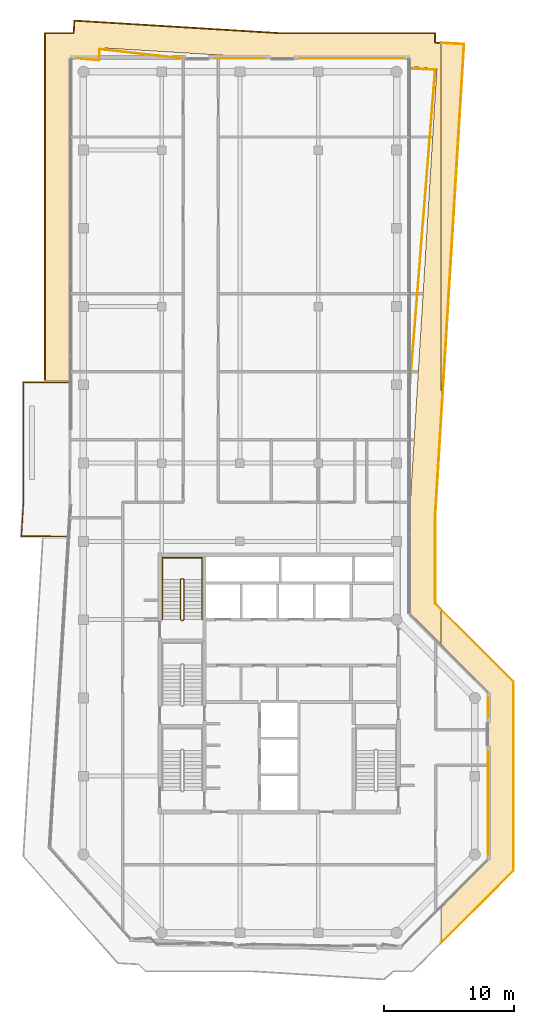
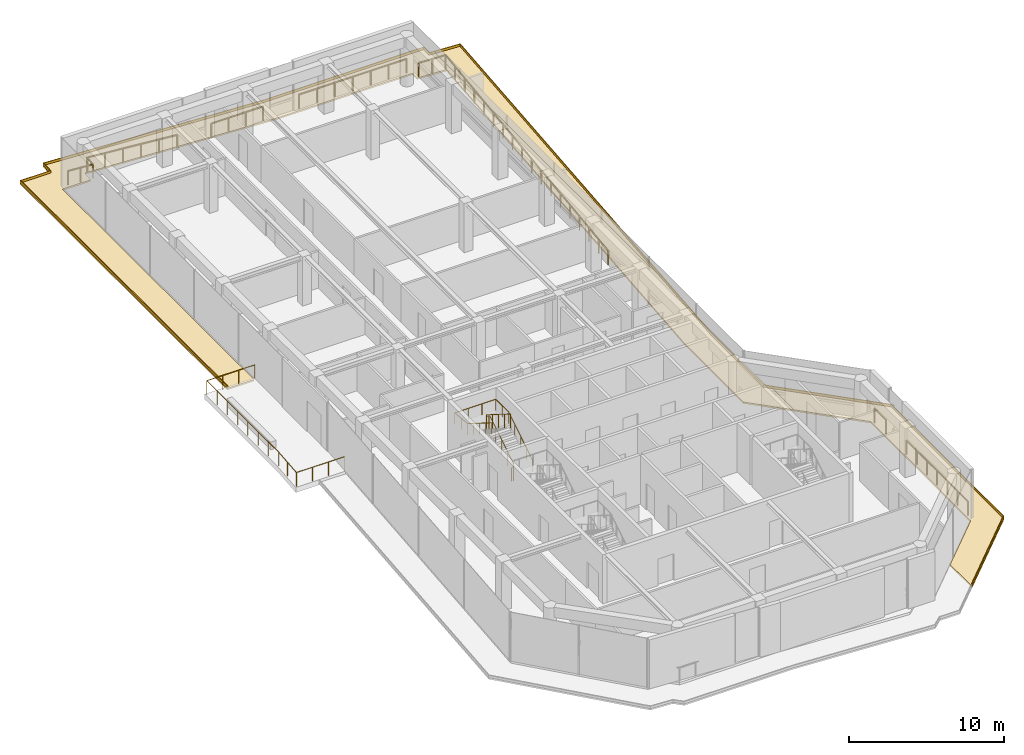
# One storey, part 18 of 18: 9 railings, 7 coverings.
"""IFC4 building model written with IfcOpenShell, lengths in metres."""

from ifc_helpers import new_model, si_unit, direction, frame, origin, origin_2d, place, context, subcontext, project, spatial, polyline, circle, outline, extrude, material, layer, layer_set, type_object, element, save


model = new_model("IFC4")

# Units and contexts
model_context = context("Model", 3, precision=1e-05, world=origin(), true_north=direction((0.0, 1.0)))
body_context = subcontext(model_context, "Body", "Model", "MODEL_VIEW")
ifc_project = project(units=[si_unit("LENGTHUNIT", "METRE"), si_unit("AREAUNIT", "SQUARE_METRE"), si_unit("VOLUMEUNIT", "CUBIC_METRE"), si_unit("PLANEANGLEUNIT", "RADIAN"), si_unit("MASSUNIT", "GRAM", prefix="KILO")], contexts=[model_context])

# Site, building, storey
site_placement = place(None, origin())
site = spatial("IfcSite", under=ifc_project, at=site_placement, CompositionType="ELEMENT")
building_placement = place(site_placement, origin())
building = spatial("IfcBuilding", under=site, at=building_placement, Name="Welwitschia Terrace Campus", CompositionType="ELEMENT")
storey_placement = place(building_placement, frame((0.0, 0.0, 272.60009765625)))
storey = spatial("IfcBuildingStorey", under=building, at=storey_placement, Name="L60", CompositionType="ELEMENT", Elevation=272.60009765625)

# Railings
ifc_material_1 = material(Name="Stainless steel grade 316", Category="steel")
railing_type_1 = type_object("IfcRailingType", Name="Guard 1100", PredefinedType="GUARDRAIL", material=ifc_material_1)
railing_1_placement = place(storey_placement, frame((-1.180419921875, 26.387451171875, 0.0)))
element("IfcRailing", 1, at=railing_1_placement, inside=storey, type_object=railing_type_1, Name="Guard terrace L60:0:0.0", PredefinedType="GUARDRAIL", context=body_context, shape_type="SweptSolid", body=[
    extrude(circle(Radius=0.02392578125, at=origin_2d()), frame((0.0, 0.0, 1.076171875), z_axis=(-0.999998872133, 0.00150190983, 0.0), x_axis=(-0.00150190983, -0.999998872133, 0.0)), (0.0, 0.0, 1.0), 3.576171875),
    extrude(circle(Radius=0.02392578125, at=origin_2d()), frame((-3.576171875, 0.00537109375, 1.076171875), z_axis=(0.060951529585, 0.998140727073, 0.0), x_axis=(-0.998140727073, 0.060951529585, 0.0)), (0.0, 0.0, 1.0), 2.567626953125),
    extrude(circle(Radius=0.02392578125, at=origin_2d()), frame((-3.419677734375, 2.568115234375, 1.076171875), z_axis=(0.0, 1.0, 0.0), x_axis=(-1.0, 0.0, 0.0)), (0.0, 0.0, 1.0), 9.2373046875),
    extrude(circle(Radius=0.02392578125, at=origin_2d()), frame((-3.419677734375, 11.805419921875, 1.076171875), z_axis=(1.0, 0.0, 0.0), x_axis=(0.0, 1.0, 0.0)), (0.0, 0.0, 1.0), 3.570068359375),
    extrude(circle(Radius=0.02099609375, at=origin_2d()), origin(), (0.0, 0.0, 1.0), 1.052001953125),
    extrude(circle(Radius=0.02099609375, at=origin_2d()), frame((-1.192138671875, 0.001708984375, 0.0)), (0.0, 0.0, 1.0), 1.052001953125),
    extrude(circle(Radius=0.02099609375, at=origin_2d()), frame((-2.384033203125, 0.003662109375, 0.0)), (0.0, 0.0, 1.0), 1.052001953125),
    extrude(circle(Radius=0.02099609375, at=origin_2d()), frame((-3.576171875, 0.00537109375, 0.0)), (0.0, 0.0, 1.0), 1.052001953125),
    extrude(circle(Radius=0.02099609375, at=origin_2d()), frame((-3.498046875, 1.28662109375, 0.0)), (0.0, 0.0, 1.0), 1.052001953125),
    extrude(circle(Radius=0.02099609375, at=origin_2d()), frame((-3.419677734375, 2.568115234375, 0.0)), (0.0, 0.0, 1.0), 1.052001953125),
    extrude(circle(Radius=0.02099609375, at=origin_2d()), frame((-3.419677734375, 3.8876953125, 0.0)), (0.0, 0.0, 1.0), 1.052001953125),
    extrude(circle(Radius=0.02099609375, at=origin_2d()), frame((-3.419677734375, 5.207275390625, 0.0)), (0.0, 0.0, 1.0), 1.052001953125),
    extrude(circle(Radius=0.02099609375, at=origin_2d()), frame((-3.419677734375, 6.52685546875, 0.0)), (0.0, 0.0, 1.0), 1.052001953125),
    extrude(circle(Radius=0.02099609375, at=origin_2d()), frame((-3.419677734375, 7.8466796875, 0.0)), (0.0, 0.0, 1.0), 1.052001953125),
    extrude(circle(Radius=0.02099609375, at=origin_2d()), frame((-3.419677734375, 9.166259765625, 0.0)), (0.0, 0.0, 1.0), 1.052001953125),
    extrude(circle(Radius=0.02099609375, at=origin_2d()), frame((-3.419677734375, 10.48583984375, 0.0)), (0.0, 0.0, 1.0), 1.052001953125),
    extrude(circle(Radius=0.02099609375, at=origin_2d()), frame((-3.419677734375, 11.805419921875, 0.0)), (0.0, 0.0, 1.0), 1.052001953125),
    extrude(circle(Radius=0.02099609375, at=origin_2d()), frame((-2.229736328125, 11.805419921875, 0.0)), (0.0, 0.0, 1.0), 1.052001953125),
    extrude(circle(Radius=0.02099609375, at=origin_2d()), frame((-1.03955078125, 11.805419921875, 0.0)), (0.0, 0.0, 1.0), 1.052001953125),
    extrude(circle(Radius=0.02099609375, at=origin_2d()), frame((0.150390625, 11.805419921875, 0.0)), (0.0, 0.0, 1.0), 1.052001953125),
])
railing_2_placement = place(storey_placement, frame((-0.580078125, 63.030029296875, 0.0)))
element("IfcRailing", 2, at=railing_2_placement, inside=storey, type_object=railing_type_1, Name="Guard floor edge L60.0", PredefinedType="GUARDRAIL", context=body_context, shape_type="SweptSolid", body=[
    extrude(circle(Radius=0.02392578125, at=origin_2d()), frame((0.0, 0.0, 1.076171875), z_axis=(0.9964690744, -0.083960608406, 0.0), x_axis=(0.083960608406, 0.9964690744, 0.0)), (0.0, 0.0, 1.0), 1.788330078125),
    extrude(circle(Radius=0.02392578125, at=origin_2d()), frame((1.781982421875, -0.150146484375, 1.076171875), z_axis=(0.061027734257, 0.99813607071, 0.0), x_axis=(-0.99813607071, 0.061027734257, 0.0)), (0.0, 0.0, 1.0), 0.843994140625),
    extrude(circle(Radius=0.02392578125, at=origin_2d()), frame((1.83349609375, 0.6923828125, 1.076171875), z_axis=(0.993944536944, -0.109882926238, 0.0), x_axis=(0.109882926238, 0.993944536944, 0.0)), (0.0, 0.0, 1.0), 6.301025390625),
    extrude(circle(Radius=0.02099609375, at=origin_2d()), origin(), (0.0, 0.0, 1.0), 1.052001953125),
    extrude(circle(Radius=0.02099609375, at=origin_2d()), frame((0.89111328125, -0.0751953125, 0.0)), (0.0, 0.0, 1.0), 1.052001953125),
    extrude(circle(Radius=0.02099609375, at=origin_2d()), frame((1.781982421875, -0.150146484375, 0.0)), (0.0, 0.0, 1.0), 1.052001953125),
    extrude(circle(Radius=0.02099609375, at=origin_2d()), frame((1.83349609375, 0.6923828125, 0.0)), (0.0, 0.0, 1.0), 1.052001953125),
    extrude(circle(Radius=0.02099609375, at=origin_2d()), frame((3.086181640625, 0.553955078125, 0.0)), (0.0, 0.0, 1.0), 1.052001953125),
    extrude(circle(Radius=0.02099609375, at=origin_2d()), frame((4.338623046875, 0.41552734375, 0.0)), (0.0, 0.0, 1.0), 1.052001953125),
    extrude(circle(Radius=0.02099609375, at=origin_2d()), frame((5.59130859375, 0.27685546875, 0.0)), (0.0, 0.0, 1.0), 1.052001953125),
    extrude(circle(Radius=0.02099609375, at=origin_2d()), frame((6.84375, 0.138427734375, 0.0)), (0.0, 0.0, 1.0), 1.052001953125),
    extrude(circle(Radius=0.02099609375, at=origin_2d()), frame((8.096435546875, 0.0, 0.0)), (0.0, 0.0, 1.0), 1.052001953125),
])
railing_3_placement = place(storey_placement, frame((10.06494140625, 63.030029296875, 0.0)))
element("IfcRailing", 3, at=railing_3_placement, inside=storey, type_object=railing_type_1, Name="Guard floor edge L60.2", PredefinedType="GUARDRAIL", context=body_context, shape_type="SweptSolid", body=[
    extrude(circle(Radius=0.02392578125, at=origin_2d()), frame((0.0, 0.0, 1.076171875), z_axis=(1.0, 0.0, 0.0), x_axis=(0.0, 1.0, 0.0)), (0.0, 0.0, 1.0), 3.850341796875),
    extrude(circle(Radius=0.02099609375, at=origin_2d()), origin(), (0.0, 0.0, 1.0), 1.052001953125),
    extrude(circle(Radius=0.02099609375, at=origin_2d()), frame((1.283447265625, 0.0, 0.0)), (0.0, 0.0, 1.0), 1.052001953125),
    extrude(circle(Radius=0.02099609375, at=origin_2d()), frame((2.56689453125, 0.0, 0.0)), (0.0, 0.0, 1.0), 1.052001953125),
    extrude(circle(Radius=0.02099609375, at=origin_2d()), frame((3.850341796875, 0.0, 0.0)), (0.0, 0.0, 1.0), 1.052001953125),
])
railing_4_placement = place(storey_placement, frame((16.581298828125, 63.030029296875, 0.0)))
element("IfcRailing", 4, at=railing_4_placement, inside=storey, type_object=railing_type_1, Name="Guard floor edge L60.4", PredefinedType="GUARDRAIL", context=body_context, shape_type="SweptSolid", body=[
    extrude(circle(Radius=0.02392578125, at=origin_2d()), frame((0.0, 0.0, 1.076171875), z_axis=(1.0, 0.0, 0.0), x_axis=(0.0, 1.0, 0.0)), (0.0, 0.0, 1.0), 7.998779296875),
    extrude(circle(Radius=0.02099609375, at=origin_2d()), origin(), (0.0, 0.0, 1.0), 1.052001953125),
    extrude(circle(Radius=0.02099609375, at=origin_2d()), frame((1.3330078125, 0.0, 0.0)), (0.0, 0.0, 1.0), 1.052001953125),
    extrude(circle(Radius=0.02099609375, at=origin_2d()), frame((2.666259765625, 0.0, 0.0)), (0.0, 0.0, 1.0), 1.052001953125),
    extrude(circle(Radius=0.02099609375, at=origin_2d()), frame((3.99951171875, 0.0, 0.0)), (0.0, 0.0, 1.0), 1.052001953125),
    extrude(circle(Radius=0.02099609375, at=origin_2d()), frame((5.33251953125, 0.0, 0.0)), (0.0, 0.0, 1.0), 1.052001953125),
    extrude(circle(Radius=0.02099609375, at=origin_2d()), frame((6.66552734375, 0.0, 0.0)), (0.0, 0.0, 1.0), 1.052001953125),
    extrude(circle(Radius=0.02099609375, at=origin_2d()), frame((7.998779296875, 0.0, 0.0)), (0.0, 0.0, 1.0), 1.052001953125),
])
railing_5_placement = place(storey_placement, frame((25.030029296875, 62.24072265625, 0.0)))
element("IfcRailing", 5, at=railing_5_placement, inside=storey, type_object=railing_type_1, Name="Guard floor edge L60.6", PredefinedType="GUARDRAIL", context=body_context, shape_type="SweptSolid", body=[
    extrude(circle(Radius=0.02392578125, at=origin_2d()), frame((0.0, 0.0, 1.076171875), z_axis=(0.998900686479, -0.046876631181, 0.0), x_axis=(0.046876631181, 0.998900686479, 0.0)), (0.0, 0.0, 1.0), 1.9375),
    extrude(circle(Radius=0.02392578125, at=origin_2d()), frame((1.935302734375, -0.0908203125, 1.076171875), z_axis=(-0.079438923316, -0.996839735094, 0.0), x_axis=(0.996839735094, -0.079438923316, 0.0)), (0.0, 0.0, 1.0), 24.362060546875),
    extrude(circle(Radius=0.02099609375, at=origin_2d()), origin(), (0.0, 0.0, 1.0), 1.052001953125),
    extrude(circle(Radius=0.02099609375, at=origin_2d()), frame((0.9677734375, -0.04541015625, 0.0)), (0.0, 0.0, 1.0), 1.052001953125),
    extrude(circle(Radius=0.02099609375, at=origin_2d()), frame((1.935302734375, -0.0908203125, 0.0)), (0.0, 0.0, 1.0), 1.052001953125),
    extrude(circle(Radius=0.02099609375, at=origin_2d()), frame((1.821533203125, -1.519287109375, 0.0)), (0.0, 0.0, 1.0), 1.052001953125),
    extrude(circle(Radius=0.02099609375, at=origin_2d()), frame((1.70751953125, -2.947998046875, 0.0)), (0.0, 0.0, 1.0), 1.052001953125),
    extrude(circle(Radius=0.02099609375, at=origin_2d()), frame((1.59375, -4.37646484375, 0.0)), (0.0, 0.0, 1.0), 1.052001953125),
    extrude(circle(Radius=0.02099609375, at=origin_2d()), frame((1.47998046875, -5.804931640625, 0.0)), (0.0, 0.0, 1.0), 1.052001953125),
    extrude(circle(Radius=0.02099609375, at=origin_2d()), frame((1.3662109375, -7.2333984375, 0.0)), (0.0, 0.0, 1.0), 1.052001953125),
    extrude(circle(Radius=0.02099609375, at=origin_2d()), frame((1.252197265625, -8.662109375, 0.0)), (0.0, 0.0, 1.0), 1.052001953125),
    extrude(circle(Radius=0.02099609375, at=origin_2d()), frame((1.138427734375, -10.090576171875, 0.0)), (0.0, 0.0, 1.0), 1.052001953125),
    extrude(circle(Radius=0.02099609375, at=origin_2d()), frame((1.024658203125, -11.51904296875, 0.0)), (0.0, 0.0, 1.0), 1.052001953125),
    extrude(circle(Radius=0.02099609375, at=origin_2d()), frame((0.91064453125, -12.94775390625, 0.0)), (0.0, 0.0, 1.0), 1.052001953125),
    extrude(circle(Radius=0.02099609375, at=origin_2d()), frame((0.796875, -14.376220703125, 0.0)), (0.0, 0.0, 1.0), 1.052001953125),
    extrude(circle(Radius=0.02099609375, at=origin_2d()), frame((0.68310546875, -15.8046875, 0.0)), (0.0, 0.0, 1.0), 1.052001953125),
    extrude(circle(Radius=0.02099609375, at=origin_2d()), frame((0.569091796875, -17.2333984375, 0.0)), (0.0, 0.0, 1.0), 1.052001953125),
    extrude(circle(Radius=0.02099609375, at=origin_2d()), frame((0.455322265625, -18.661865234375, 0.0)), (0.0, 0.0, 1.0), 1.052001953125),
    extrude(circle(Radius=0.02099609375, at=origin_2d()), frame((0.341552734375, -20.09033203125, 0.0)), (0.0, 0.0, 1.0), 1.052001953125),
    extrude(circle(Radius=0.02099609375, at=origin_2d()), frame((0.227783203125, -21.518798828125, 0.0)), (0.0, 0.0, 1.0), 1.052001953125),
    extrude(circle(Radius=0.02099609375, at=origin_2d()), frame((0.11376953125, -22.947509765625, 0.0)), (0.0, 0.0, 1.0), 1.052001953125),
    extrude(circle(Radius=0.02099609375, at=origin_2d()), frame((0.0, -24.3759765625, 0.0)), (0.0, 0.0, 1.0), 1.052001953125),
])
railing_6_placement = place(storey_placement, frame((31.030029296875, 9.8896484375, 0.0)))
element("IfcRailing", 6, at=railing_6_placement, inside=storey, type_object=railing_type_1, Name="Guard floor edge L60.7", PredefinedType="GUARDRAIL", context=body_context, shape_type="SweptSolid", body=[
    extrude(circle(Radius=0.02392578125, at=origin_2d()), frame((0.0, 0.0, 1.076171875), z_axis=(0.0, -1.0, 0.0), x_axis=(1.0, 0.0, 0.0)), (0.0, 0.0, 1.0), 7.892578125),
    extrude(circle(Radius=0.02099609375, at=origin_2d()), origin(), (0.0, 0.0, 1.0), 1.052001953125),
    extrude(circle(Radius=0.02099609375, at=origin_2d()), frame((0.0, -1.3154296875, 0.0)), (0.0, 0.0, 1.0), 1.052001953125),
    extrude(circle(Radius=0.02099609375, at=origin_2d()), frame((0.0, -2.630859375, 0.0)), (0.0, 0.0, 1.0), 1.052001953125),
    extrude(circle(Radius=0.02099609375, at=origin_2d()), frame((0.0, -3.9462890625, 0.0)), (0.0, 0.0, 1.0), 1.052001953125),
    extrude(circle(Radius=0.02099609375, at=origin_2d()), frame((0.0, -5.26171875, 0.0)), (0.0, 0.0, 1.0), 1.052001953125),
    extrude(circle(Radius=0.02099609375, at=origin_2d()), frame((0.0, -6.5771484375, 0.0)), (0.0, 0.0, 1.0), 1.052001953125),
    extrude(circle(Radius=0.02099609375, at=origin_2d()), frame((0.0, -7.892578125, 0.0)), (0.0, 0.0, 1.0), 1.052001953125),
])
railing_7_placement = place(storey_placement, frame((31.030029296875, 14.0029296875, 0.0)))
element("IfcRailing", 7, at=railing_7_placement, inside=storey, type_object=railing_type_1, Name="Guard floor edge L60.8", PredefinedType="GUARDRAIL", context=body_context, shape_type="SweptSolid", body=[
    extrude(circle(Radius=0.02392578125, at=origin_2d()), frame((0.0, 0.0, 1.076171875), z_axis=(0.0, -1.0, 0.0), x_axis=(1.0, 0.0, 0.0)), (0.0, 0.0, 1.0), 1.4658203125),
    extrude(circle(Radius=0.02099609375, at=origin_2d()), origin(), (0.0, 0.0, 1.0), 1.052001953125),
    extrude(circle(Radius=0.02099609375, at=origin_2d()), frame((0.0, -1.4658203125, 0.0)), (0.0, 0.0, 1.0), 1.052001953125),
])
ifc_material_2 = material(Name="Steel S355", Category="steel")
railing_type_2 = type_object("IfcRailingType", Name="Stair guard 1100", PredefinedType="GUARDRAIL", material=ifc_material_2)
railing_8_placement = place(storey_placement, frame((7.5, 19.949951171875, 0.0)))
element("IfcRailing", 8, at=railing_8_placement, inside=storey, type_object=railing_type_2, Name="L60 S4 stair guard", PredefinedType="GUARDRAIL", context=body_context, shape_type="SweptSolid", body=[
    extrude(circle(Radius=0.02392578125, at=origin_2d()), frame((0.0, 0.0, 1.076171875), z_axis=(1.0, 0.0, 0.0), x_axis=(0.0, 1.0, 0.0)), (0.0, 0.0, 1.0), 0.14990234375),
    extrude(circle(Radius=0.02392578125, at=origin_2d()), frame((0.14990234375, 0.0, 1.076171875), z_axis=(0.265383341853, 0.265383341853, 0.926899867156), x_axis=(-0.707106781187, 0.707106781187, 0.0)), (0.0, 0.0, 1.0), 0.1884765625),
    extrude(circle(Radius=0.02392578125, at=origin_2d()), frame((0.199951171875, 0.050048828125, 1.2509765625), z_axis=(0.0, 0.847998304005, 0.529998940003), x_axis=(-1.0, 0.0, 0.0)), (0.0, 0.0, 1.0), 3.632080078125),
    extrude(circle(Radius=0.02392578125, at=origin_2d()), frame((0.199951171875, 3.130126953125, 3.17578125), z_axis=(-0.708833529934, 0.705375805398, 0.0), x_axis=(-0.705375805398, -0.708833529934, 0.0)), (0.0, 0.0, 1.0), 0.070556640625),
    extrude(circle(Radius=0.02392578125, at=origin_2d()), frame((0.14990234375, 3.179931640625, 3.17578125), z_axis=(-1.0, 0.0, 0.0), x_axis=(0.0, -1.0, 0.0)), (0.0, 0.0, 1.0), 0.14990234375),
    extrude(circle(Radius=0.02392578125, at=origin_2d()), frame((0.0, 3.179931640625, 3.17578125), z_axis=(-0.265155923931, -0.263862480399, 0.927399011991), x_axis=(0.705375805398, -0.708833529934, 0.0)), (0.0, 0.0, 1.0), 0.188720703125),
    extrude(circle(Radius=0.02392578125, at=origin_2d()), frame((-0.050048828125, 3.130126953125, 3.35107421875), z_axis=(0.0, -0.847998304005, 0.529998940003), x_axis=(1.0, 0.0, 0.0)), (0.0, 0.0, 1.0), 3.632080078125),
    extrude(circle(Radius=0.02099609375, at=origin_2d()), origin(), (0.0, 0.0, 1.0), 1.052001953125),
    extrude(circle(Radius=0.02099609375, at=origin_2d()), frame((0.14990234375, 0.0, 0.0)), (0.0, 0.0, 1.0), 1.052001953125),
    extrude(circle(Radius=0.02099609375, at=origin_2d()), frame((0.199951171875, 0.050048828125, 0.1748046875)), (0.0, 0.0, 1.0), 1.052001953125),
    extrude(circle(Radius=0.02099609375, at=origin_2d()), frame((0.199951171875, 0.820068359375, 0.656005859375)), (0.0, 0.0, 1.0), 1.052001953125),
    extrude(circle(Radius=0.02099609375, at=origin_2d()), frame((0.199951171875, 1.590087890625, 1.13720703125)), (0.0, 0.0, 1.0), 1.052001953125),
    extrude(circle(Radius=0.02099609375, at=origin_2d()), frame((0.199951171875, 2.360107421875, 1.61865234375)), (0.0, 0.0, 1.0), 1.052001953125),
    extrude(circle(Radius=0.02099609375, at=origin_2d()), frame((0.199951171875, 3.130126953125, 2.099853515625)), (0.0, 0.0, 1.0), 1.052001953125),
    extrude(circle(Radius=0.02099609375, at=origin_2d()), frame((0.14990234375, 3.179931640625, 2.099853515625)), (0.0, 0.0, 1.0), 1.052001953125),
    extrude(circle(Radius=0.02099609375, at=origin_2d()), frame((0.0, 3.179931640625, 2.099853515625)), (0.0, 0.0, 1.0), 1.052001953125),
    extrude(circle(Radius=0.02099609375, at=origin_2d()), frame((-0.050048828125, 3.130126953125, 2.27490234375)), (0.0, 0.0, 1.0), 1.052001953125),
    extrude(circle(Radius=0.02099609375, at=origin_2d()), frame((-0.050048828125, 2.360107421875, 2.756103515625)), (0.0, 0.0, 1.0), 1.052001953125),
    extrude(circle(Radius=0.02099609375, at=origin_2d()), frame((-0.050048828125, 1.590087890625, 3.2373046875)), (0.0, 0.0, 1.0), 1.052001953125),
    extrude(circle(Radius=0.02099609375, at=origin_2d()), frame((-0.050048828125, 0.820068359375, 3.71875)), (0.0, 0.0, 1.0), 1.052001953125),
    extrude(circle(Radius=0.02099609375, at=origin_2d()), frame((-0.050048828125, 0.050048828125, 4.199951171875)), (0.0, 0.0, 1.0), 1.052001953125),
])
ifc_material_3 = material(Name="Steel S355", Category="steel")
railing_type_3 = type_object("IfcRailingType", Name="Stair handrail 900", PredefinedType="HANDRAIL", material=ifc_material_3)
railing_9_placement = place(storey_placement, frame((9.10009765625, 20.0, 0.1748046875)))
element("IfcRailing", 9, at=railing_9_placement, inside=storey, type_object=railing_type_3, Name="L60 S4 stair handrail", PredefinedType="HANDRAIL", context=body_context, shape_type="SweptSolid", body=[
    extrude(circle(Radius=0.02392578125, at=origin_2d()), frame((0.0, 0.0, 0.8759765625), z_axis=(0.0, 0.847998304005, 0.529998940003), x_axis=(-1.0, 0.0, 0.0)), (0.0, 0.0, 1.0), 3.632080078125),
    extrude(circle(Radius=0.02392578125, at=origin_2d()), frame((0.0, 3.080078125, 2.80078125), z_axis=(0.0, 1.0, 0.0), x_axis=(-1.0, 0.0, 0.0)), (0.0, 0.0, 1.0), 1.669921875),
    extrude(circle(Radius=0.02392578125, at=origin_2d()), frame((0.0, 4.75, 2.80078125), z_axis=(-1.0, 0.0, 0.0), x_axis=(0.0, -1.0, 0.0)), (0.0, 0.0, 1.0), 3.050048828125),
    extrude(circle(Radius=0.02392578125, at=origin_2d()), frame((-3.050048828125, 4.75, 2.80078125), z_axis=(0.0, -0.99455077262, 0.104253348533), x_axis=(1.0, 0.0, 0.0)), (0.0, 0.0, 1.0), 1.678955078125),
    extrude(circle(Radius=0.02392578125, at=origin_2d()), frame((-3.050048828125, 3.080078125, 2.97607421875), z_axis=(0.0, -0.847998304005, 0.529998940003), x_axis=(1.0, 0.0, 0.0)), (0.0, 0.0, 1.0), 3.632080078125),
    extrude(circle(Radius=0.02099609375, at=origin_2d()), origin(), (0.0, 0.0, 1.0), 0.851806640625),
    extrude(circle(Radius=0.02099609375, at=origin_2d()), frame((0.0, 0.77001953125, 0.481201171875)), (0.0, 0.0, 1.0), 0.851806640625),
    extrude(circle(Radius=0.02099609375, at=origin_2d()), frame((0.0, 1.5400390625, 0.96240234375)), (0.0, 0.0, 1.0), 0.851806640625),
    extrude(circle(Radius=0.02099609375, at=origin_2d()), frame((0.0, 2.31005859375, 1.44384765625)), (0.0, 0.0, 1.0), 0.851806640625),
    extrude(circle(Radius=0.02099609375, at=origin_2d()), frame((0.0, 3.080078125, 1.925048828125)), (0.0, 0.0, 1.0), 0.851806640625),
    extrude(circle(Radius=0.02099609375, at=origin_2d()), frame((0.0, 3.9150390625, 1.925048828125)), (0.0, 0.0, 1.0), 0.851806640625),
    extrude(circle(Radius=0.02099609375, at=origin_2d()), frame((0.0, 4.75, 1.925048828125)), (0.0, 0.0, 1.0), 0.851806640625),
    extrude(circle(Radius=0.02099609375, at=origin_2d()), frame((-1.0166015625, 4.75, 1.925048828125)), (0.0, 0.0, 1.0), 0.851806640625),
    extrude(circle(Radius=0.02099609375, at=origin_2d()), frame((-2.033447265625, 4.75, 1.925048828125)), (0.0, 0.0, 1.0), 0.851806640625),
    extrude(circle(Radius=0.02099609375, at=origin_2d()), frame((-3.050048828125, 4.75, 1.925048828125)), (0.0, 0.0, 1.0), 0.851806640625),
    extrude(circle(Radius=0.02099609375, at=origin_2d()), frame((-3.050048828125, 3.9150390625, 2.0126953125)), (0.0, 0.0, 1.0), 0.851806640625),
    extrude(circle(Radius=0.02099609375, at=origin_2d()), frame((-3.050048828125, 3.080078125, 2.10009765625)), (0.0, 0.0, 1.0), 0.851806640625),
    extrude(circle(Radius=0.02099609375, at=origin_2d()), frame((-3.050048828125, 2.31005859375, 2.581298828125)), (0.0, 0.0, 1.0), 0.851806640625),
    extrude(circle(Radius=0.02099609375, at=origin_2d()), frame((-3.050048828125, 1.5400390625, 3.0625)), (0.0, 0.0, 1.0), 0.851806640625),
    extrude(circle(Radius=0.02099609375, at=origin_2d()), frame((-3.050048828125, 0.77001953125, 3.5439453125)), (0.0, 0.0, 1.0), 0.851806640625),
    extrude(circle(Radius=0.02099609375, at=origin_2d()), frame((-3.050048828125, 0.0, 4.025146484375)), (0.0, 0.0, 1.0), 0.851806640625),
])

# Coverings
ifc_material_4 = material(Name="Bronze anodised aluminium", Category="aluminium")
ifc_layer_1 = layer(ifc_material_4, 0.1201171875)
ifc_layer_set_1 = layer_set([ifc_layer_1], Name="Bronze anodised aluminium")
covering_type_1 = type_object("IfcCoveringType", Name="Sunshade band 2000", PredefinedType="USERDEFINED", material=ifc_layer_set_1)
covering_1_placement = place(storey_placement, frame((0.0, 0.0, -0.300048828125)))
element("IfcCovering", 10, at=covering_1_placement, inside=storey, type_object=covering_type_1, Name="SUNSHADE L60.SW0", ObjectType="SUNSHADE", PredefinedType="USERDEFINED", context=body_context, shape_type="SweptSolid", body=[
    extrude(outline(polyline([(15.091552734375, 65.0), (27.0, 65.0), (27.0, 64.271728515625), (27.3916015625, 64.247802734375), (27.3916015625, 34.39404296875), (27.0, 27.989990234375), (27.0, 21.24267578125), (27.3916015625, 20.85107421875), (27.3916015625, 18.0224609375), (25.0, 20.414306640625), (25.0, 28.05126953125), (27.09228515625, 62.26220703125), (25.0, 62.39013671875), (25.0, 63.0), (15.030517578125, 63.0), (1.140869140625, 63.849609375), (1.089111328125, 63.0), (-1.0, 63.0), (-1.0, 38.343017578125), (-3.0, 38.343017578125), (-3.0, 65.0), (-0.79248046875, 65.0), (-0.733154296875, 65.968017578125), (15.091552734375, 65.0)])), origin(), (0.0, 0.0, 1.0), 0.119873046875),
])
covering_2_placement = place(storey_placement, frame((0.0, 0.0, -0.300048828125)))
element("IfcCovering", 11, at=covering_2_placement, inside=storey, type_object=covering_type_1, Name="SUNSHADE L60.SE0", ObjectType="SUNSHADE", PredefinedType="USERDEFINED", context=body_context, shape_type="SweptSolid", body=[
    extrude(outline(polyline([(29.210693359375, 64.136474609375), (27.3916015625, 34.39404296875), (27.3916015625, 64.247802734375), (29.210693359375, 64.136474609375)])), origin(), (0.0, 0.0, 1.0), 0.119873046875),
])
covering_3_placement = place(storey_placement, frame((0.0, 0.0, -0.300048828125)))
element("IfcCovering", 12, at=covering_3_placement, inside=storey, type_object=covering_type_1, Name="SUNSHADE L60.SE1", ObjectType="SUNSHADE", PredefinedType="USERDEFINED", context=body_context, shape_type="SweptSolid", body=[
    extrude(outline(polyline([(33.0, 15.24267578125), (33.0, 0.75732421875), (27.3916015625, -4.85107421875), (27.3916015625, -2.0224609375), (31.0, 1.585693359375), (31.0, 14.414306640625), (27.3916015625, 18.0224609375), (27.3916015625, 20.85107421875), (33.0, 15.24267578125)])), origin(), (0.0, 0.0, 1.0), 0.119873046875),
])
ifc_material_5 = material(Name="Bronze anodised aluminium", Category="aluminium")
ifc_layer_2 = layer(ifc_material_5, 0.06005859375)
ifc_layer_set_2 = layer_set([ifc_layer_2], Name="Bronze anodised aluminium")
covering_type_2 = type_object("IfcCoveringType", Name="Sunshade lip 60", PredefinedType="USERDEFINED", material=ifc_layer_set_2)
covering_4_placement = place(storey_placement, frame((0.0, 0.0, -0.18017578125)))
element("IfcCovering", 13, at=covering_4_placement, inside=storey, type_object=covering_type_2, Name="SUNSHADE LIP L60.SW0.0", ObjectType="SUNSHADE", PredefinedType="USERDEFINED", context=body_context, shape_type="SweptSolid", body=[
    extrude(outline(polyline([(27.0, 65.0), (27.0, 64.271728515625), (27.3916015625, 64.247802734375), (27.3916015625, 64.1875), (26.93994140625, 64.215087890625), (26.93994140625, 64.93994140625), (15.08984375, 64.93994140625), (-0.677001953125, 65.904296875), (-0.736083984375, 64.93994140625), (-2.93994140625, 64.93994140625), (-2.93994140625, 38.343017578125), (-3.0, 38.343017578125), (-3.0, 65.0), (-0.79248046875, 65.0), (-0.733154296875, 65.968017578125), (15.091552734375, 65.0), (27.0, 65.0)])), origin(), (0.0, 0.0, 1.0), 0.18017578125),
])
covering_5_placement = place(storey_placement, frame((0.0, 0.0, -0.18017578125)))
element("IfcCovering", 14, at=covering_5_placement, inside=storey, type_object=covering_type_2, Name="SUNSHADE LIP L60.SW0.1", ObjectType="SUNSHADE", PredefinedType="USERDEFINED", context=body_context, shape_type="SweptSolid", body=[
    extrude(outline(polyline([(27.3916015625, 34.39404296875), (27.0, 27.989990234375), (27.0, 21.24267578125), (27.3916015625, 20.85107421875), (27.3916015625, 20.76611328125), (26.93994140625, 21.2177734375), (26.93994140625, 27.991943359375), (27.3916015625, 35.376953125), (27.3916015625, 34.39404296875)])), origin(), (0.0, 0.0, 1.0), 0.18017578125),
])
covering_6_placement = place(storey_placement, frame((0.0, 0.0, -0.18017578125)))
element("IfcCovering", 15, at=covering_6_placement, inside=storey, type_object=covering_type_2, Name="SUNSHADE LIP L60.SE0.0", ObjectType="SUNSHADE", PredefinedType="USERDEFINED", context=body_context, shape_type="SweptSolid", body=[
    extrude(outline(polyline([(27.3916015625, 34.39404296875), (27.3916015625, 35.376953125), (29.147216796875, 64.080078125), (27.3916015625, 64.1875), (27.3916015625, 64.247802734375), (29.210693359375, 64.136474609375), (27.3916015625, 34.39404296875)])), origin(), (0.0, 0.0, 1.0), 0.18017578125),
])
covering_7_placement = place(storey_placement, frame((0.0, 0.0, -0.18017578125)))
element("IfcCovering", 16, at=covering_7_placement, inside=storey, type_object=covering_type_2, Name="SUNSHADE LIP L60.SE1.0", ObjectType="SUNSHADE", PredefinedType="USERDEFINED", context=body_context, shape_type="SweptSolid", body=[
    extrude(outline(polyline([(33.0, 0.75732421875), (27.3916015625, -4.85107421875), (27.3916015625, -4.76611328125), (32.93994140625, 0.7822265625), (32.93994140625, 15.2177734375), (27.3916015625, 20.76611328125), (27.3916015625, 20.85107421875), (33.0, 15.24267578125), (33.0, 0.75732421875)])), origin(), (0.0, 0.0, 1.0), 0.18017578125),
])

save(model, "model.ifc")
